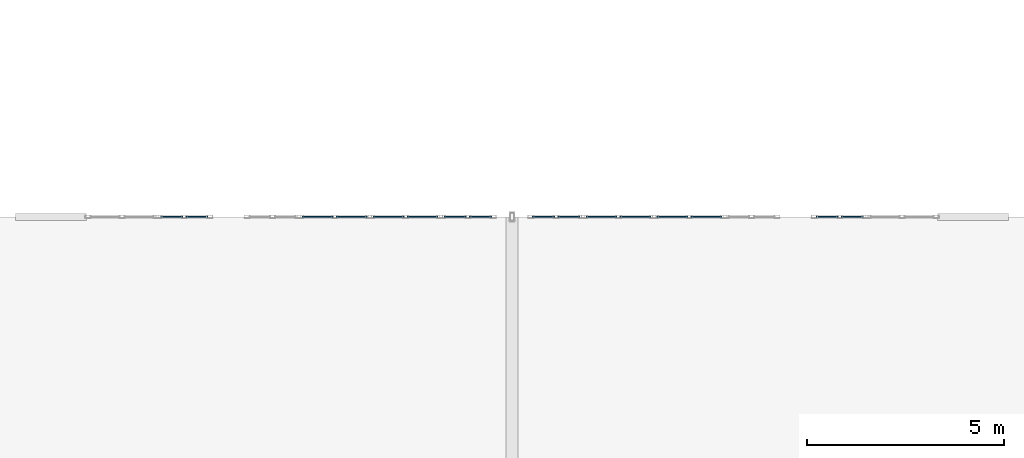
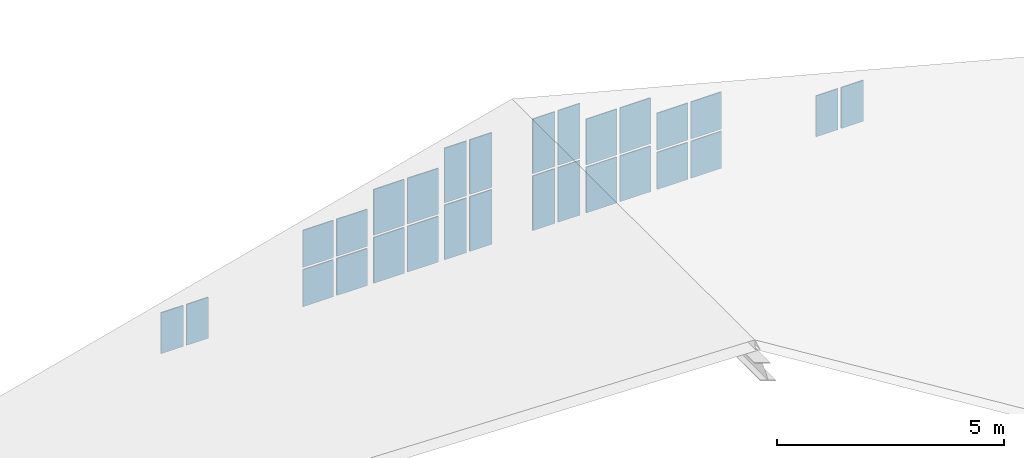
# One storey, part 53 of 76: 28 plates, 8 elements without a shape of their own.
"""IFC4 building model written with IfcOpenShell, lengths in metres."""

from ifc_helpers import new_model, si_unit, direction, frame, origin, origin_2d, place, context, subcontext, project, spatial, rectangle, extrude, material, layer, layer_set, type_object, element, aggregate, save


model = new_model("IFC4")

# Units and contexts
model_context = context("Model", 3, precision=1e-05, world=origin(), true_north=direction((0.0, 1.0)))
body_context = subcontext(model_context, "Body", "Model", "MODEL_VIEW")
ifc_project = project(units=[si_unit("LENGTHUNIT", "METRE"), si_unit("AREAUNIT", "SQUARE_METRE"), si_unit("VOLUMEUNIT", "CUBIC_METRE"), si_unit("PLANEANGLEUNIT", "RADIAN"), si_unit("MASSUNIT", "GRAM", prefix="KILO"), si_unit("THERMODYNAMICTEMPERATUREUNIT", "KELVIN"), si_unit("POWERUNIT", "WATT")], contexts=[model_context])

# Site, building, storey
site_placement = place(None, origin())
site = spatial("IfcSite", under=ifc_project, at=site_placement, CompositionType="ELEMENT")
building_placement = place(site_placement, origin())
building = spatial("IfcBuilding", under=site, at=building_placement, Name="Kaldorven Railside Theatre", CompositionType="ELEMENT")
storey_placement = place(building_placement, frame((0.0, 0.0, 14.39990234375)))
storey = spatial("IfcBuildingStorey", under=building, at=storey_placement, Name="L03", CompositionType="ELEMENT", Elevation=14.39990234375)

# Curtain wall, plates
ifc_material = material(Name="Low-E laminated solar-control glass", Category="glass")
ifc_layer_1 = layer(ifc_material, 0.159912109375, Name="Low-E laminated solar-control glass")
ifc_layer_set_1 = layer_set([ifc_layer_1], Name="Low-E laminated solar-control glass")
curtain_wall_type_1 = type_object("IfcCurtainWallType", Name="CWT-61", PredefinedType="USERDEFINED", material=ifc_layer_set_1)
curtain_wall_1_placement = place(storey_placement, origin())
curtain_wall_1 = element("IfcCurtainWall", 1, at=curtain_wall_1_placement, inside=storey, type_object=curtain_wall_type_1, Name="Studio North Gable Clerestory CWG-127", ObjectType="FLUTED GLAZING", PredefinedType="USERDEFINED")
ifc_layer_2 = layer(ifc_material, 0.028076171875, Name="Low-E laminated solar-control glass")
ifc_layer_set_2 = layer_set([ifc_layer_2], Name="Low-E laminated solar-control glass")
plate_type = type_object("IfcPlateType", Name="CWP-GLZ28", PredefinedType="CURTAIN_PANEL", material=ifc_layer_set_2)
plate_1_placement = place(storey_placement, frame((13.760009765625, 48.0, 0.080078125), z_axis=(0.0, 0.0, 1.0), x_axis=(1.0, 0.0, 0.0)))
plate_1 = element("IfcPlate", 2, at=plate_1_placement, type_object=plate_type, Name="CWG-127 panel 1.1", PredefinedType="CURTAIN_PANEL", context=body_context, shape_type="SweptSolid", body=[
    extrude(rectangle(XDim=0.56005859375, YDim=0.028076171875, at=origin_2d()), origin(), (0.0, 0.0, 1.0), 1.10009765625),
])
plate_2_placement = place(storey_placement, frame((14.39990234375, 48.0, 0.080078125), z_axis=(0.0, 0.0, 1.0), x_axis=(1.0, 0.0, 0.0)))
plate_2 = element("IfcPlate", 3, at=plate_2_placement, type_object=plate_type, Name="CWG-127 panel 2.1", PredefinedType="CURTAIN_PANEL", context=body_context, shape_type="SweptSolid", body=[
    extrude(rectangle(XDim=0.56005859375, YDim=0.028076171875, at=origin_2d()), origin(), (0.0, 0.0, 1.0), 1.10009765625),
])
aggregate(curtain_wall_1, [plate_1, plate_2])

ifc_layer_3 = layer(ifc_material, 0.159912109375, Name="Low-E laminated solar-control glass")
ifc_layer_set_3 = layer_set([ifc_layer_3], Name="Low-E laminated solar-control glass")
curtain_wall_type_2 = type_object("IfcCurtainWallType", Name="CWT-63", PredefinedType="USERDEFINED", material=ifc_layer_set_3)
curtain_wall_2_placement = place(storey_placement, origin())
curtain_wall_2 = element("IfcCurtainWall", 4, at=curtain_wall_2_placement, inside=storey, type_object=curtain_wall_type_2, Name="Studio North Gable Clerestory CWG-129", ObjectType="FLUTED GLAZING", PredefinedType="USERDEFINED")
plate_3_placement = place(storey_placement, frame((17.469970703125, 48.0, 0.080078125), z_axis=(0.0, 0.0, 1.0), x_axis=(1.0, 0.0, 0.0)))
plate_3 = element("IfcPlate", 5, at=plate_3_placement, type_object=plate_type, Name="CWG-129 panel 1.1", PredefinedType="CURTAIN_PANEL", context=body_context, shape_type="SweptSolid", body=[
    extrude(rectangle(XDim=0.780029296875, YDim=0.028076171875, at=origin_2d()), origin(), (0.0, 0.0, 1.0), 0.9951171875),
])
plate_4_placement = place(storey_placement, frame((17.469970703125, 48.0, 1.135009765625), z_axis=(0.0, 0.0, 1.0), x_axis=(1.0, 0.0, 0.0)))
plate_4 = element("IfcPlate", 6, at=plate_4_placement, type_object=plate_type, Name="CWG-129 panel 1.2", PredefinedType="CURTAIN_PANEL", context=body_context, shape_type="SweptSolid", body=[
    extrude(rectangle(XDim=0.780029296875, YDim=0.028076171875, at=origin_2d()), origin(), (0.0, 0.0, 1.0), 0.9951171875),
])
plate_5_placement = place(storey_placement, frame((18.330078125, 48.0, 0.080078125), z_axis=(0.0, 0.0, 1.0), x_axis=(1.0, 0.0, 0.0)))
plate_5 = element("IfcPlate", 7, at=plate_5_placement, type_object=plate_type, Name="CWG-129 panel 2.1", PredefinedType="CURTAIN_PANEL", context=body_context, shape_type="SweptSolid", body=[
    extrude(rectangle(XDim=0.780029296875, YDim=0.028076171875, at=origin_2d()), origin(), (0.0, 0.0, 1.0), 0.9951171875),
])
plate_6_placement = place(storey_placement, frame((18.330078125, 48.0, 1.135009765625), z_axis=(0.0, 0.0, 1.0), x_axis=(1.0, 0.0, 0.0)))
plate_6 = element("IfcPlate", 8, at=plate_6_placement, type_object=plate_type, Name="CWG-129 panel 2.2", PredefinedType="CURTAIN_PANEL", context=body_context, shape_type="SweptSolid", body=[
    extrude(rectangle(XDim=0.780029296875, YDim=0.028076171875, at=origin_2d()), origin(), (0.0, 0.0, 1.0), 0.9951171875),
])
aggregate(curtain_wall_2, [plate_3, plate_4, plate_5, plate_6])

ifc_layer_4 = layer(ifc_material, 0.159912109375, Name="Low-E laminated solar-control glass")
ifc_layer_set_4 = layer_set([ifc_layer_4], Name="Low-E laminated solar-control glass")
curtain_wall_type_3 = type_object("IfcCurtainWallType", Name="CWT-64", PredefinedType="USERDEFINED", material=ifc_layer_set_4)
curtain_wall_3_placement = place(storey_placement, origin())
curtain_wall_3 = element("IfcCurtainWall", 9, at=curtain_wall_3_placement, inside=storey, type_object=curtain_wall_type_3, Name="Studio North Gable Clerestory CWG-130", ObjectType="FLUTED GLAZING", PredefinedType="USERDEFINED")
plate_7_placement = place(storey_placement, frame((19.27001953125, 48.0, 0.080078125), z_axis=(0.0, 0.0, 1.0), x_axis=(1.0, 0.0, 0.0)))
plate_7 = element("IfcPlate", 10, at=plate_7_placement, type_object=plate_type, Name="CWG-130 panel 1.1", PredefinedType="CURTAIN_PANEL", context=body_context, shape_type="SweptSolid", body=[
    extrude(rectangle(XDim=0.780029296875, YDim=0.028076171875, at=origin_2d()), origin(), (0.0, 0.0, 1.0), 1.22998046875),
])
plate_8_placement = place(storey_placement, frame((19.27001953125, 48.0, 1.3701171875), z_axis=(0.0, 0.0, 1.0), x_axis=(1.0, 0.0, 0.0)))
plate_8 = element("IfcPlate", 11, at=plate_8_placement, type_object=plate_type, Name="CWG-130 panel 1.2", PredefinedType="CURTAIN_PANEL", context=body_context, shape_type="SweptSolid", body=[
    extrude(rectangle(XDim=0.780029296875, YDim=0.028076171875, at=origin_2d()), origin(), (0.0, 0.0, 1.0), 1.22998046875),
])
plate_9_placement = place(storey_placement, frame((20.1298828125, 48.0, 0.080078125), z_axis=(0.0, 0.0, 1.0), x_axis=(1.0, 0.0, 0.0)))
plate_9 = element("IfcPlate", 12, at=plate_9_placement, type_object=plate_type, Name="CWG-130 panel 2.1", PredefinedType="CURTAIN_PANEL", context=body_context, shape_type="SweptSolid", body=[
    extrude(rectangle(XDim=0.780029296875, YDim=0.028076171875, at=origin_2d()), origin(), (0.0, 0.0, 1.0), 1.22998046875),
])
plate_10_placement = place(storey_placement, frame((20.1298828125, 48.0, 1.3701171875), z_axis=(0.0, 0.0, 1.0), x_axis=(1.0, 0.0, 0.0)))
plate_10 = element("IfcPlate", 13, at=plate_10_placement, type_object=plate_type, Name="CWG-130 panel 2.2", PredefinedType="CURTAIN_PANEL", context=body_context, shape_type="SweptSolid", body=[
    extrude(rectangle(XDim=0.780029296875, YDim=0.028076171875, at=origin_2d()), origin(), (0.0, 0.0, 1.0), 1.22998046875),
])
aggregate(curtain_wall_3, [plate_7, plate_8, plate_9, plate_10])

ifc_layer_5 = layer(ifc_material, 0.159912109375, Name="Low-E laminated solar-control glass")
ifc_layer_set_5 = layer_set([ifc_layer_5], Name="Low-E laminated solar-control glass")
curtain_wall_type_4 = type_object("IfcCurtainWallType", Name="CWT-66", PredefinedType="USERDEFINED", material=ifc_layer_set_5)
curtain_wall_4_placement = place(storey_placement, origin())
curtain_wall_4 = element("IfcCurtainWall", 14, at=curtain_wall_4_placement, inside=storey, type_object=curtain_wall_type_4, Name="Studio North Gable Clerestory CWG-131", ObjectType="FLUTED GLAZING", PredefinedType="USERDEFINED")
plate_11_placement = place(storey_placement, frame((20.9599609375, 48.0, 0.080078125), z_axis=(0.0, 0.0, 1.0), x_axis=(1.0, 0.0, 0.0)))
plate_11 = element("IfcPlate", 15, at=plate_11_placement, type_object=plate_type, Name="CWG-131 panel 1.1", PredefinedType="CURTAIN_PANEL", context=body_context, shape_type="SweptSolid", body=[
    extrude(rectangle(XDim=0.56005859375, YDim=0.028076171875, at=origin_2d()), origin(), (0.0, 0.0, 1.0), 1.469970703125),
])
plate_12_placement = place(storey_placement, frame((20.9599609375, 48.0, 1.6103515625), z_axis=(0.0, 0.0, 1.0), x_axis=(1.0, 0.0, 0.0)))
plate_12 = element("IfcPlate", 16, at=plate_12_placement, type_object=plate_type, Name="CWG-131 panel 1.2", PredefinedType="CURTAIN_PANEL", context=body_context, shape_type="SweptSolid", body=[
    extrude(rectangle(XDim=0.56005859375, YDim=0.028076171875, at=origin_2d()), origin(), (0.0, 0.0, 1.0), 1.469970703125),
])
plate_13_placement = place(storey_placement, frame((21.60009765625, 48.0, 0.080078125), z_axis=(0.0, 0.0, 1.0), x_axis=(1.0, 0.0, 0.0)))
plate_13 = element("IfcPlate", 17, at=plate_13_placement, type_object=plate_type, Name="CWG-131 panel 2.1", PredefinedType="CURTAIN_PANEL", context=body_context, shape_type="SweptSolid", body=[
    extrude(rectangle(XDim=0.56005859375, YDim=0.028076171875, at=origin_2d()), origin(), (0.0, 0.0, 1.0), 1.469970703125),
])
plate_14_placement = place(storey_placement, frame((21.60009765625, 48.0, 1.6103515625), z_axis=(0.0, 0.0, 1.0), x_axis=(1.0, 0.0, 0.0)))
plate_14 = element("IfcPlate", 18, at=plate_14_placement, type_object=plate_type, Name="CWG-131 panel 2.2", PredefinedType="CURTAIN_PANEL", context=body_context, shape_type="SweptSolid", body=[
    extrude(rectangle(XDim=0.56005859375, YDim=0.028076171875, at=origin_2d()), origin(), (0.0, 0.0, 1.0), 1.469970703125),
])
aggregate(curtain_wall_4, [plate_11, plate_12, plate_13, plate_14])

curtain_wall_5_placement = place(storey_placement, origin())
curtain_wall_5 = element("IfcCurtainWall", 19, at=curtain_wall_5_placement, inside=storey, type_object=curtain_wall_type_4, Name="Studio North Gable Clerestory CWG-132", ObjectType="FLUTED GLAZING", PredefinedType="USERDEFINED")
plate_15_placement = place(storey_placement, frame((23.199951171875, 48.0, 0.080078125), z_axis=(0.0, 0.0, 1.0), x_axis=(1.0, 0.0, 0.0)))
plate_15 = element("IfcPlate", 20, at=plate_15_placement, type_object=plate_type, Name="CWG-132 panel 1.1", PredefinedType="CURTAIN_PANEL", context=body_context, shape_type="SweptSolid", body=[
    extrude(rectangle(XDim=0.56005859375, YDim=0.028076171875, at=origin_2d()), origin(), (0.0, 0.0, 1.0), 1.469970703125),
])
plate_16_placement = place(storey_placement, frame((23.199951171875, 48.0, 1.6103515625), z_axis=(0.0, 0.0, 1.0), x_axis=(1.0, 0.0, 0.0)))
plate_16 = element("IfcPlate", 21, at=plate_16_placement, type_object=plate_type, Name="CWG-132 panel 1.2", PredefinedType="CURTAIN_PANEL", context=body_context, shape_type="SweptSolid", body=[
    extrude(rectangle(XDim=0.56005859375, YDim=0.028076171875, at=origin_2d()), origin(), (0.0, 0.0, 1.0), 1.469970703125),
])
plate_17_placement = place(storey_placement, frame((23.840087890625, 48.0, 0.080078125), z_axis=(0.0, 0.0, 1.0), x_axis=(1.0, 0.0, 0.0)))
plate_17 = element("IfcPlate", 22, at=plate_17_placement, type_object=plate_type, Name="CWG-132 panel 2.1", PredefinedType="CURTAIN_PANEL", context=body_context, shape_type="SweptSolid", body=[
    extrude(rectangle(XDim=0.56005859375, YDim=0.028076171875, at=origin_2d()), origin(), (0.0, 0.0, 1.0), 1.469970703125),
])
plate_18_placement = place(storey_placement, frame((23.840087890625, 48.0, 1.6103515625), z_axis=(0.0, 0.0, 1.0), x_axis=(1.0, 0.0, 0.0)))
plate_18 = element("IfcPlate", 23, at=plate_18_placement, type_object=plate_type, Name="CWG-132 panel 2.2", PredefinedType="CURTAIN_PANEL", context=body_context, shape_type="SweptSolid", body=[
    extrude(rectangle(XDim=0.56005859375, YDim=0.028076171875, at=origin_2d()), origin(), (0.0, 0.0, 1.0), 1.469970703125),
])
aggregate(curtain_wall_5, [plate_15, plate_16, plate_17, plate_18])

curtain_wall_6_placement = place(storey_placement, origin())
curtain_wall_6 = element("IfcCurtainWall", 24, at=curtain_wall_6_placement, inside=storey, type_object=curtain_wall_type_3, Name="Studio North Gable Clerestory CWG-133", ObjectType="FLUTED GLAZING", PredefinedType="USERDEFINED")
plate_19_placement = place(storey_placement, frame((24.669921875, 48.0, 0.080078125), z_axis=(0.0, 0.0, 1.0), x_axis=(1.0, 0.0, 0.0)))
plate_19 = element("IfcPlate", 25, at=plate_19_placement, type_object=plate_type, Name="CWG-133 panel 1.1", PredefinedType="CURTAIN_PANEL", context=body_context, shape_type="SweptSolid", body=[
    extrude(rectangle(XDim=0.780029296875, YDim=0.028076171875, at=origin_2d()), origin(), (0.0, 0.0, 1.0), 1.22998046875),
])
plate_20_placement = place(storey_placement, frame((24.669921875, 48.0, 1.3701171875), z_axis=(0.0, 0.0, 1.0), x_axis=(1.0, 0.0, 0.0)))
plate_20 = element("IfcPlate", 26, at=plate_20_placement, type_object=plate_type, Name="CWG-133 panel 1.2", PredefinedType="CURTAIN_PANEL", context=body_context, shape_type="SweptSolid", body=[
    extrude(rectangle(XDim=0.780029296875, YDim=0.028076171875, at=origin_2d()), origin(), (0.0, 0.0, 1.0), 1.22998046875),
])
plate_21_placement = place(storey_placement, frame((25.530029296875, 48.0, 0.080078125), z_axis=(0.0, 0.0, 1.0), x_axis=(1.0, 0.0, 0.0)))
plate_21 = element("IfcPlate", 27, at=plate_21_placement, type_object=plate_type, Name="CWG-133 panel 2.1", PredefinedType="CURTAIN_PANEL", context=body_context, shape_type="SweptSolid", body=[
    extrude(rectangle(XDim=0.780029296875, YDim=0.028076171875, at=origin_2d()), origin(), (0.0, 0.0, 1.0), 1.22998046875),
])
plate_22_placement = place(storey_placement, frame((25.530029296875, 48.0, 1.3701171875), z_axis=(0.0, 0.0, 1.0), x_axis=(1.0, 0.0, 0.0)))
plate_22 = element("IfcPlate", 28, at=plate_22_placement, type_object=plate_type, Name="CWG-133 panel 2.2", PredefinedType="CURTAIN_PANEL", context=body_context, shape_type="SweptSolid", body=[
    extrude(rectangle(XDim=0.780029296875, YDim=0.028076171875, at=origin_2d()), origin(), (0.0, 0.0, 1.0), 1.22998046875),
])
aggregate(curtain_wall_6, [plate_19, plate_20, plate_21, plate_22])

curtain_wall_7_placement = place(storey_placement, origin())
curtain_wall_7 = element("IfcCurtainWall", 29, at=curtain_wall_7_placement, inside=storey, type_object=curtain_wall_type_2, Name="Studio North Gable Clerestory CWG-134", ObjectType="FLUTED GLAZING", PredefinedType="USERDEFINED")
plate_23_placement = place(storey_placement, frame((26.469970703125, 48.0, 0.080078125), z_axis=(0.0, 0.0, 1.0), x_axis=(1.0, 0.0, 0.0)))
plate_23 = element("IfcPlate", 30, at=plate_23_placement, type_object=plate_type, Name="CWG-134 panel 1.1", PredefinedType="CURTAIN_PANEL", context=body_context, shape_type="SweptSolid", body=[
    extrude(rectangle(XDim=0.780029296875, YDim=0.028076171875, at=origin_2d()), origin(), (0.0, 0.0, 1.0), 0.9951171875),
])
plate_24_placement = place(storey_placement, frame((26.469970703125, 48.0, 1.135009765625), z_axis=(0.0, 0.0, 1.0), x_axis=(1.0, 0.0, 0.0)))
plate_24 = element("IfcPlate", 31, at=plate_24_placement, type_object=plate_type, Name="CWG-134 panel 1.2", PredefinedType="CURTAIN_PANEL", context=body_context, shape_type="SweptSolid", body=[
    extrude(rectangle(XDim=0.780029296875, YDim=0.028076171875, at=origin_2d()), origin(), (0.0, 0.0, 1.0), 0.9951171875),
])
plate_25_placement = place(storey_placement, frame((27.330078125, 48.0, 0.080078125), z_axis=(0.0, 0.0, 1.0), x_axis=(1.0, 0.0, 0.0)))
plate_25 = element("IfcPlate", 32, at=plate_25_placement, type_object=plate_type, Name="CWG-134 panel 2.1", PredefinedType="CURTAIN_PANEL", context=body_context, shape_type="SweptSolid", body=[
    extrude(rectangle(XDim=0.780029296875, YDim=0.028076171875, at=origin_2d()), origin(), (0.0, 0.0, 1.0), 0.9951171875),
])
plate_26_placement = place(storey_placement, frame((27.330078125, 48.0, 1.135009765625), z_axis=(0.0, 0.0, 1.0), x_axis=(1.0, 0.0, 0.0)))
plate_26 = element("IfcPlate", 33, at=plate_26_placement, type_object=plate_type, Name="CWG-134 panel 2.2", PredefinedType="CURTAIN_PANEL", context=body_context, shape_type="SweptSolid", body=[
    extrude(rectangle(XDim=0.780029296875, YDim=0.028076171875, at=origin_2d()), origin(), (0.0, 0.0, 1.0), 0.9951171875),
])
aggregate(curtain_wall_7, [plate_23, plate_24, plate_25, plate_26])

curtain_wall_8_placement = place(storey_placement, origin())
curtain_wall_8 = element("IfcCurtainWall", 34, at=curtain_wall_8_placement, inside=storey, type_object=curtain_wall_type_1, Name="Studio North Gable Clerestory CWG-136", ObjectType="FLUTED GLAZING", PredefinedType="USERDEFINED")
plate_27_placement = place(storey_placement, frame((30.39990234375, 48.0, 0.080078125), z_axis=(0.0, 0.0, 1.0), x_axis=(1.0, 0.0, 0.0)))
plate_27 = element("IfcPlate", 35, at=plate_27_placement, type_object=plate_type, Name="CWG-136 panel 1.1", PredefinedType="CURTAIN_PANEL", context=body_context, shape_type="SweptSolid", body=[
    extrude(rectangle(XDim=0.56005859375, YDim=0.028076171875, at=origin_2d()), origin(), (0.0, 0.0, 1.0), 1.10009765625),
])
plate_28_placement = place(storey_placement, frame((31.0400390625, 48.0, 0.080078125), z_axis=(0.0, 0.0, 1.0), x_axis=(1.0, 0.0, 0.0)))
plate_28 = element("IfcPlate", 36, at=plate_28_placement, type_object=plate_type, Name="CWG-136 panel 2.1", PredefinedType="CURTAIN_PANEL", context=body_context, shape_type="SweptSolid", body=[
    extrude(rectangle(XDim=0.56005859375, YDim=0.028076171875, at=origin_2d()), origin(), (0.0, 0.0, 1.0), 1.10009765625),
])
aggregate(curtain_wall_8, [plate_27, plate_28])

save(model, "model.ifc")
